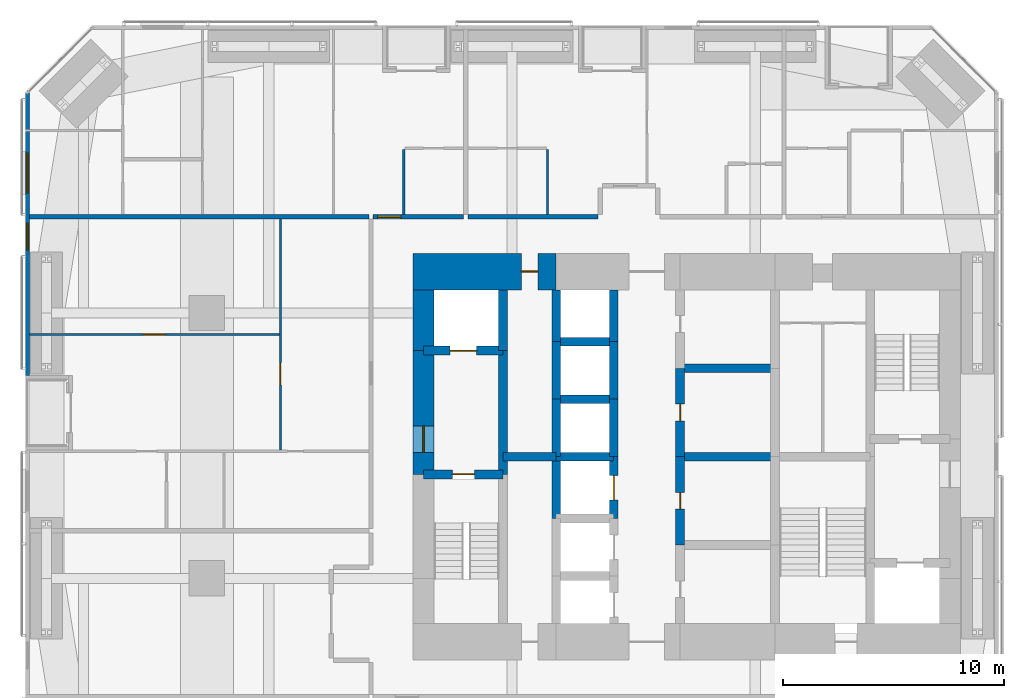
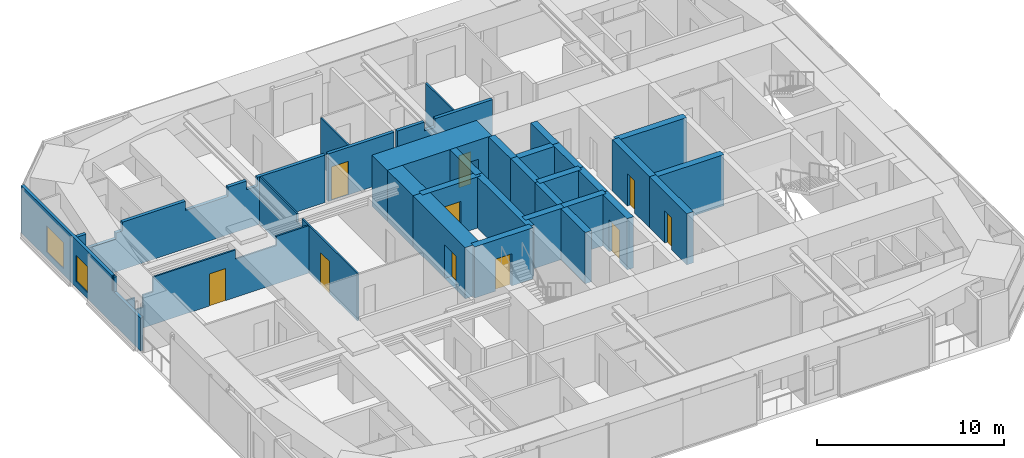
# One storey, part 19 of 24: 31 walls, 10 doors, 2 windows, 12 openings.
"""IFC4 building model written with IfcOpenShell, lengths in metres."""

from ifc_helpers import new_model, si_unit, direction, frame, frame_2d, origin, place, context, subcontext, project, spatial, polyline, rectangle, outline, extrude, material, layer, layer_set, constituent, constituent_set, type_object, element, fill, save


model = new_model("IFC4")

# Units and contexts
model_context = context("Model", 3, precision=1e-05, world=origin(), true_north=direction((0.0, 1.0)))
body_context = subcontext(model_context, "Body", "Model", "MODEL_VIEW")
ifc_project = project(units=[si_unit("LENGTHUNIT", "METRE"), si_unit("AREAUNIT", "SQUARE_METRE"), si_unit("VOLUMEUNIT", "CUBIC_METRE"), si_unit("PLANEANGLEUNIT", "RADIAN"), si_unit("MASSUNIT", "GRAM", prefix="KILO")], contexts=[model_context])

# Site, building, storey
site_placement = place(None, origin())
site = spatial("IfcSite", under=ifc_project, at=site_placement, CompositionType="ELEMENT")
building_placement = place(site_placement, origin())
building = spatial("IfcBuilding", under=site, at=building_placement, Name="Jalousie Tower", CompositionType="ELEMENT")
storey_placement = place(building_placement, frame((0.0, 0.0, 51.14990234375)))
storey = spatial("IfcBuildingStorey", under=building, at=storey_placement, Name="L13", CompositionType="ELEMENT", Elevation=51.14990234375)

# Wall, opening, door
ifc_material_1 = material(Name="Concrete f'c 120 MPa", Category="concrete")
ifc_layer_1 = layer(ifc_material_1, 1.64990234375)
ifc_layer_set_1 = layer_set([ifc_layer_1], Name="Concrete f'c 120 MPa")
wall_type_1 = type_object("IfcWallType", Name="CORE WALL 1650", PredefinedType="SHEAR", material=ifc_layer_set_1)
wall_1_placement = place(storey_placement, frame((26.0, 26.875, 0.0), z_axis=(0.0, 0.0, 1.0), x_axis=(-1.0, 0.0, 0.0)))
wall_1 = element("IfcWall", 1, at=wall_1_placement, inside=storey, type_object=wall_type_1, Name="Core wall ND L13", PredefinedType="SHEAR", context=body_context, shape_type="SweptSolid", body=[
    extrude(rectangle(XDim=6.47509765625, YDim=1.64990234375, at=frame_2d((3.237548828125, 0.0))), origin(), (0.0, 0.0, 1.0), 3.35009765625),
])
opening_1_placement = place(wall_1_placement, frame((0.824951171875, 0.0, 0.0)))
opening_1 = element("IfcOpeningElement", 2, at=opening_1_placement, cuts=wall_1, Name="Opening D16", PredefinedType="OPENING", context=body_context, shape_type="SweptSolid", body=[
    extrude(rectangle(XDim=0.75, YDim=2.10009765625, at=frame_2d((0.375, 1.050048828125))), frame((0.0, 0.8349609375, 0.0), z_axis=(0.0, -1.0, 0.0), x_axis=(1.0, 0.0, 0.0)), (0.0, 0.0, 1.0), 1.669921875),
])
ifc_material_2 = material(Name="Steel fire door", Category="steel")
door_type_1 = type_object("IfcDoorType", Name="RISER DOOR 750", OperationType="SINGLE_SWING_LEFT", PredefinedType="DOOR", material=ifc_material_2)
door_1_placement = place(opening_1_placement, origin())
door_1 = element("IfcDoor", 3, at=door_1_placement, inside=storey, type_object=door_type_1, Name="North riser door", OperationType="SINGLE_SWING_RIGHT", OverallHeight=2.10009765625, OverallWidth=0.75, PredefinedType="DOOR", context=body_context, shape_type="SweptSolid", body=[
    extrude(rectangle(XDim=0.75, YDim=2.10009765625, at=frame_2d((0.375, 1.050048828125))), frame((0.0, 0.02490234375, 0.0), z_axis=(0.0, -1.0, 0.0), x_axis=(1.0, 0.0, 0.0)), (0.0, 0.0, 1.0), 0.050048828125),
])
fill(opening_1, door_1)

# Walls
ifc_material_3 = material(Name="Concrete f'c 120 MPa", Category="concrete")
ifc_layer_2 = layer(ifc_material_3, 0.39990234375)
ifc_layer_set_2 = layer_set([ifc_layer_2], Name="Concrete f'c 120 MPa")
wall_type_2 = type_object("IfcWallType", Name="CORE WALL 400", PredefinedType="SHEAR", material=ifc_layer_set_2)
wall_2_placement = place(storey_placement, frame((23.60009765625, 17.699951171875, 0.0), z_axis=(0.0, 0.0, 1.0), x_axis=(0.0, 1.0, 0.0)))
element("IfcWall", 4, at=wall_2_placement, inside=storey, type_object=wall_type_2, Name="Core wall X23.6B L13", PredefinedType="SHEAR", context=body_context, shape_type="SweptSolid", body=[
    extrude(rectangle(XDim=5.60009765625, YDim=0.39990234375, at=frame_2d((2.800048828125, 0.0))), origin(), (0.0, 0.0, 1.0), 3.35009765625),
])
wall_3_placement = place(storey_placement, frame((23.60009765625, 23.300048828125, 0.0), z_axis=(0.0, 0.0, 1.0), x_axis=(0.0, 1.0, 0.0)))
element("IfcWall", 5, at=wall_3_placement, inside=storey, type_object=wall_type_2, Name="Core wall X23.6C L13", PredefinedType="SHEAR", context=body_context, shape_type="SweptSolid", body=[
    extrude(rectangle(XDim=2.75, YDim=0.39990234375, at=frame_2d((1.375, 0.0))), origin(), (0.0, 0.0, 1.0), 3.35009765625),
])
wall_4_placement = place(storey_placement, frame((26.0, 15.699951171875, 0.0), z_axis=(0.0, 0.0, 1.0), x_axis=(0.0, 1.0, 0.0)))
element("IfcWall", 6, at=wall_4_placement, inside=storey, type_object=wall_type_2, Name="Core wall X26C L13", PredefinedType="SHEAR", context=body_context, shape_type="SweptSolid", body=[
    extrude(rectangle(XDim=2.800048828125, YDim=0.39990234375, at=frame_2d((1.39990234375, 0.0))), origin(), (0.0, 0.0, 1.0), 3.35009765625),
])
wall_5_placement = place(storey_placement, frame((26.0, 18.5, 0.0), z_axis=(0.0, 0.0, 1.0), x_axis=(0.0, 1.0, 0.0)))
element("IfcWall", 7, at=wall_5_placement, inside=storey, type_object=wall_type_2, Name="Core wall X26D L13", PredefinedType="SHEAR", context=body_context, shape_type="SweptSolid", body=[
    extrude(rectangle(XDim=2.60009765625, YDim=0.39990234375, at=frame_2d((1.300048828125, 0.0))), origin(), (0.0, 0.0, 1.0), 3.35009765625),
])
wall_6_placement = place(storey_placement, frame((26.0, 21.10009765625, 0.0), z_axis=(0.0, 0.0, 1.0), x_axis=(0.0, 1.0, 0.0)))
element("IfcWall", 8, at=wall_6_placement, inside=storey, type_object=wall_type_2, Name="Core wall X26E L13", PredefinedType="SHEAR", context=body_context, shape_type="SweptSolid", body=[
    extrude(rectangle(XDim=2.599853515625, YDim=0.39990234375, at=frame_2d((1.2998046875, 0.0))), origin(), (0.0, 0.0, 1.0), 3.35009765625),
])
wall_7_placement = place(storey_placement, frame((26.0, 23.699951171875, 0.0), z_axis=(0.0, 0.0, 1.0), x_axis=(0.0, 1.0, 0.0)))
element("IfcWall", 9, at=wall_7_placement, inside=storey, type_object=wall_type_2, Name="Core wall X26F L13", PredefinedType="SHEAR", context=body_context, shape_type="SweptSolid", body=[
    extrude(rectangle(XDim=2.35009765625, YDim=0.39990234375, at=frame_2d((1.175048828125, 0.0))), origin(), (0.0, 0.0, 1.0), 3.35009765625),
])

# Wall, opening, door
wall_8_placement = place(storey_placement, frame((28.60009765625, 15.699951171875, 0.0), z_axis=(0.0, 0.0, 1.0), x_axis=(0.0, 1.0, 0.0)))
wall_8 = element("IfcWall", 10, at=wall_8_placement, inside=storey, type_object=wall_type_2, Name="Core wall X28.6C L13", PredefinedType="SHEAR", context=body_context, shape_type="SweptSolid", body=[
    extrude(rectangle(XDim=2.800048828125, YDim=0.39990234375, at=frame_2d((1.39990234375, 0.0))), origin(), (0.0, 0.0, 1.0), 3.35009765625),
])
opening_2_placement = place(wall_8_placement, frame((0.85009765625, 0.0, 0.0)))
opening_2 = element("IfcOpeningElement", 11, at=opening_2_placement, cuts=wall_8, Name="Opening LD1", PredefinedType="OPENING", context=body_context, shape_type="SweptSolid", body=[
    extrude(rectangle(XDim=1.10009765625, YDim=2.10009765625, at=frame_2d((0.550048828125, 1.050048828125))), frame((0.0, 0.2099609375, 0.0), z_axis=(0.0, -1.0, 0.0), x_axis=(1.0, 0.0, 0.0)), (0.0, 0.0, 1.0), 0.419921875),
])
ifc_material_4 = material(Name="Steel lift landing door", Category="steel")
door_type_2 = type_object("IfcDoorType", Name="LIFT LANDING DOOR 1100", OperationType="SLIDING_TO_LEFT", PredefinedType="DOOR", material=ifc_material_4)
door_2_placement = place(opening_2_placement, origin())
door_2 = element("IfcDoor", 12, at=door_2_placement, inside=storey, type_object=door_type_2, Name="Lift P3 landing door", OperationType="SLIDING_TO_LEFT", OverallHeight=2.10009765625, OverallWidth=1.10009765625, PredefinedType="DOOR", context=body_context, shape_type="SweptSolid", body=[
    extrude(rectangle(XDim=1.10009765625, YDim=2.10009765625, at=frame_2d((0.550048828125, 1.050048828125))), frame((0.0, 0.02490234375, 0.0), z_axis=(0.0, -1.0, 0.0), x_axis=(1.0, 0.0, 0.0)), (0.0, 0.0, 1.0), 0.050048828125),
])
fill(opening_2, door_2)

# Walls
wall_9_placement = place(storey_placement, frame((28.60009765625, 18.5, 0.0), z_axis=(0.0, 0.0, 1.0), x_axis=(0.0, 1.0, 0.0)))
element("IfcWall", 13, at=wall_9_placement, inside=storey, type_object=wall_type_2, Name="Core wall X28.6D L13", PredefinedType="SHEAR", context=body_context, shape_type="SweptSolid", body=[
    extrude(rectangle(XDim=2.60009765625, YDim=0.39990234375, at=frame_2d((1.300048828125, 0.0))), origin(), (0.0, 0.0, 1.0), 3.35009765625),
])
wall_10_placement = place(storey_placement, frame((28.60009765625, 21.10009765625, 0.0), z_axis=(0.0, 0.0, 1.0), x_axis=(0.0, 1.0, 0.0)))
element("IfcWall", 14, at=wall_10_placement, inside=storey, type_object=wall_type_2, Name="Core wall X28.6E L13", PredefinedType="SHEAR", context=body_context, shape_type="SweptSolid", body=[
    extrude(rectangle(XDim=2.599853515625, YDim=0.39990234375, at=frame_2d((1.2998046875, 0.0))), origin(), (0.0, 0.0, 1.0), 3.35009765625),
])
wall_11_placement = place(storey_placement, frame((28.60009765625, 23.699951171875, 0.0), z_axis=(0.0, 0.0, 1.0), x_axis=(0.0, 1.0, 0.0)))
element("IfcWall", 15, at=wall_11_placement, inside=storey, type_object=wall_type_2, Name="Core wall X28.6F L13", PredefinedType="SHEAR", context=body_context, shape_type="SweptSolid", body=[
    extrude(rectangle(XDim=2.35009765625, YDim=0.39990234375, at=frame_2d((1.175048828125, 0.0))), origin(), (0.0, 0.0, 1.0), 3.35009765625),
])

# Wall, opening, door
wall_12_placement = place(storey_placement, frame((31.60009765625, 14.5, 0.0), z_axis=(0.0, 0.0, 1.0), x_axis=(0.0, 1.0, 0.0)))
wall_12 = element("IfcWall", 16, at=wall_12_placement, inside=storey, type_object=wall_type_2, Name="Core wall X31.6B L13", PredefinedType="SHEAR", context=body_context, shape_type="SweptSolid", body=[
    extrude(rectangle(XDim=4.0, YDim=0.39990234375, at=frame_2d((2.0, 0.0))), origin(), (0.0, 0.0, 1.0), 3.35009765625),
])
opening_3_placement = place(wall_12_placement, frame((1.625, 0.0, 0.0)))
opening_3 = element("IfcOpeningElement", 17, at=opening_3_placement, cuts=wall_12, Name="Opening D16", PredefinedType="OPENING", context=body_context, shape_type="SweptSolid", body=[
    extrude(rectangle(XDim=0.75, YDim=2.10009765625, at=frame_2d((0.375, 1.050048828125))), frame((0.0, 0.2099609375, 0.0), z_axis=(0.0, -1.0, 0.0), x_axis=(1.0, 0.0, 0.0)), (0.0, 0.0, 1.0), 0.419921875),
])
door_3_placement = place(opening_3_placement, frame((0.75, 0.0, 0.0), z_axis=(0.0, 0.0, 1.0), x_axis=(-1.0, 0.0, 0.0)))
door_3 = element("IfcDoor", 18, at=door_3_placement, inside=storey, type_object=door_type_1, Name="Electrical Room door", OperationType="SINGLE_SWING_LEFT", OverallHeight=2.10009765625, OverallWidth=0.75, PredefinedType="DOOR", context=body_context, shape_type="SweptSolid", body=[
    extrude(rectangle(XDim=0.75, YDim=2.10009765625, at=frame_2d((0.375, 1.050048828125))), frame((0.0, 0.02490234375, 0.0), z_axis=(0.0, -1.0, 0.0), x_axis=(1.0, 0.0, 0.0)), (0.0, 0.0, 1.0), 0.050048828125),
])
fill(opening_3, door_3)

wall_13_placement = place(storey_placement, frame((31.60009765625, 18.5, 0.0), z_axis=(0.0, 0.0, 1.0), x_axis=(0.0, 1.0, 0.0)))
wall_13 = element("IfcWall", 19, at=wall_13_placement, inside=storey, type_object=wall_type_2, Name="Core wall X31.6C L13", PredefinedType="SHEAR", context=body_context, shape_type="SweptSolid", body=[
    extrude(rectangle(XDim=4.0, YDim=0.39990234375, at=frame_2d((2.0, 0.0))), origin(), (0.0, 0.0, 1.0), 3.35009765625),
])
opening_4_placement = place(wall_13_placement, frame((1.625, 0.0, 0.0)))
opening_4 = element("IfcOpeningElement", 20, at=opening_4_placement, cuts=wall_13, Name="Opening D16", PredefinedType="OPENING", context=body_context, shape_type="SweptSolid", body=[
    extrude(rectangle(XDim=0.75, YDim=2.10009765625, at=frame_2d((0.375, 1.050048828125))), frame((0.0, 0.2099609375, 0.0), z_axis=(0.0, -1.0, 0.0), x_axis=(1.0, 0.0, 0.0)), (0.0, 0.0, 1.0), 0.419921875),
])
door_4_placement = place(opening_4_placement, frame((0.75, 0.0, 0.0), z_axis=(0.0, 0.0, 1.0), x_axis=(-1.0, 0.0, 0.0)))
door_4 = element("IfcDoor", 21, at=door_4_placement, inside=storey, type_object=door_type_1, Name="Telecom Room door", OperationType="SINGLE_SWING_LEFT", OverallHeight=2.10009765625, OverallWidth=0.75, PredefinedType="DOOR", context=body_context, shape_type="SweptSolid", body=[
    extrude(rectangle(XDim=0.75, YDim=2.10009765625, at=frame_2d((0.375, 1.050048828125))), frame((0.0, 0.02490234375, 0.0), z_axis=(0.0, -1.0, 0.0), x_axis=(1.0, 0.0, 0.0)), (0.0, 0.0, 1.0), 0.050048828125),
])
fill(opening_4, door_4)

wall_14_placement = place(storey_placement, frame((20.0, 17.699951171875, 0.0), z_axis=(0.0, 0.0, 1.0), x_axis=(1.0, 0.0, 0.0)))
wall_14 = element("IfcWall", 22, at=wall_14_placement, inside=storey, type_object=wall_type_2, Name="Core wall Y20-17.7 L13", PredefinedType="SHEAR", context=body_context, shape_type="SweptSolid", body=[
    extrude(rectangle(XDim=3.60009765625, YDim=0.39990234375, at=frame_2d((1.800048828125, 0.0))), origin(), (0.0, 0.0, 1.0), 3.35009765625),
])
opening_5_placement = place(wall_14_placement, frame((1.300048828125, 0.0, 0.0)))
opening_5 = element("IfcOpeningElement", 23, at=opening_5_placement, cuts=wall_14, Name="Opening D10", PredefinedType="OPENING", context=body_context, shape_type="SweptSolid", body=[
    extrude(rectangle(XDim=1.0, YDim=2.10009765625, at=frame_2d((0.5, 1.050048828125))), frame((0.0, 0.2099609375, 0.0), z_axis=(0.0, -1.0, 0.0), x_axis=(1.0, 0.0, 0.0)), (0.0, 0.0, 1.0), 0.419921875),
])
ifc_material_5 = material(Name="Steel fire door", Category="steel")
door_type_3 = type_object("IfcDoorType", Name="STAIR DOOR 1000", OperationType="SINGLE_SWING_LEFT", PredefinedType="DOOR", material=ifc_material_5)
door_5_placement = place(opening_5_placement, frame((1.0, 0.0, 0.0), z_axis=(0.0, 0.0, 1.0), x_axis=(-1.0, 0.0, 0.0)))
door_5 = element("IfcDoor", 24, at=door_5_placement, inside=storey, type_object=door_type_3, Name="Exit stair A door", OperationType="SINGLE_SWING_RIGHT", OverallHeight=2.10009765625, OverallWidth=1.0, PredefinedType="DOOR", context=body_context, shape_type="SweptSolid", body=[
    extrude(rectangle(XDim=1.0, YDim=2.10009765625, at=frame_2d((0.5, 1.050048828125))), frame((0.0, 0.02490234375, 0.0), z_axis=(0.0, -1.0, 0.0), x_axis=(1.0, 0.0, 0.0)), (0.0, 0.0, 1.0), 0.050048828125),
])
fill(opening_5, door_5)

wall_15_placement = place(storey_placement, frame((20.0, 23.300048828125, 0.0), z_axis=(0.0, 0.0, 1.0), x_axis=(1.0, 0.0, 0.0)))
wall_15 = element("IfcWall", 25, at=wall_15_placement, inside=storey, type_object=wall_type_2, Name="Core wall Y20-23.3 L13", PredefinedType="SHEAR", context=body_context, shape_type="SweptSolid", body=[
    extrude(rectangle(XDim=3.60009765625, YDim=0.39990234375, at=frame_2d((1.800048828125, 0.0))), origin(), (0.0, 0.0, 1.0), 3.35009765625),
])
opening_6_placement = place(wall_15_placement, frame((1.199951171875, 0.0, 0.0)))
opening_6 = element("IfcOpeningElement", 26, at=opening_6_placement, cuts=wall_15, Name="Opening LD2", PredefinedType="OPENING", context=body_context, shape_type="SweptSolid", body=[
    extrude(rectangle(XDim=1.199951171875, YDim=2.10009765625, at=frame_2d((0.60009765625, 1.050048828125))), frame((0.0, 0.2099609375, 0.0), z_axis=(0.0, -1.0, 0.0), x_axis=(1.0, 0.0, 0.0)), (0.0, 0.0, 1.0), 0.419921875),
])
ifc_material_6 = material(Name="Steel lift landing door", Category="steel")
door_type_4 = type_object("IfcDoorType", Name="LIFT LANDING DOOR 1200", OperationType="SLIDING_TO_LEFT", PredefinedType="DOOR", material=ifc_material_6)
door_6_placement = place(opening_6_placement, origin())
door_6 = element("IfcDoor", 27, at=door_6_placement, inside=storey, type_object=door_type_4, Name="Lift F1 landing door", OperationType="SLIDING_TO_LEFT", OverallHeight=2.10009765625, OverallWidth=1.199951171875, PredefinedType="DOOR", context=body_context, shape_type="SweptSolid", body=[
    extrude(rectangle(XDim=1.199951171875, YDim=2.10009765625, at=frame_2d((0.60009765625, 1.050048828125))), frame((0.0, 0.02490234375, 0.0), z_axis=(0.0, -1.0, 0.0), x_axis=(1.0, 0.0, 0.0)), (0.0, 0.0, 1.0), 0.050048828125),
])
fill(opening_6, door_6)

# Walls
wall_16_placement = place(storey_placement, frame((23.60009765625, 18.5, 0.0), z_axis=(0.0, 0.0, 1.0), x_axis=(1.0, 0.0, 0.0)))
element("IfcWall", 28, at=wall_16_placement, inside=storey, type_object=wall_type_2, Name="Core wall Y23.6-18.5 L13", PredefinedType="SHEAR", context=body_context, shape_type="SweptSolid", body=[
    extrude(rectangle(XDim=2.39990234375, YDim=0.39990234375, at=frame_2d((1.199951171875, 0.0))), origin(), (0.0, 0.0, 1.0), 3.35009765625),
])
for number, where, z_axis, x_axis, name in (
    (29, (26.0, 18.5, 0.0), (0.0, 0.0, 1.0), (1.0, 0.0, 0.0), "Core wall Y26-18.5 L13"),
    (30, (26.0, 21.10009765625, 0.0), (0.0, 0.0, 1.0), (1.0, 0.0, 0.0), "Core wall Y26-21.1 L13"),
    (31, (26.0, 23.699951171875, 0.0), (0.0, 0.0, 1.0), (1.0, 0.0, 0.0), "Core wall Y26-23.7 L13"),
):
    element("IfcWall", number, at=place(storey_placement, frame(where, z_axis=z_axis, x_axis=x_axis)), inside=storey, type_object=wall_type_2, Name=name, PredefinedType="SHEAR", context=body_context, shape_type="SweptSolid", body=[
        extrude(rectangle(XDim=2.60009765625, YDim=0.39990234375, at=frame_2d((1.300048828125, 0.0))), origin(), (0.0, 0.0, 1.0), 3.35009765625),
    ])
for number, where, z_axis, x_axis, name in (
    (32, (31.60009765625, 18.5, 0.0), (0.0, 0.0, 1.0), (1.0, 0.0, 0.0), "Core wall Y31.6-18.5 L13"),
    (33, (31.60009765625, 22.5, 0.0), (0.0, 0.0, 1.0), (1.0, 0.0, 0.0), "Core wall Y31.6-22.5 L13"),
):
    element("IfcWall", number, at=place(storey_placement, frame(where, z_axis=z_axis, x_axis=x_axis)), inside=storey, type_object=wall_type_2, Name=name, PredefinedType="SHEAR", context=body_context, shape_type="SweptSolid", body=[
        extrude(rectangle(XDim=4.2998046875, YDim=0.39990234375, at=frame_2d((2.14990234375, 0.0))), origin(), (0.0, 0.0, 1.0), 3.35009765625),
    ])
ifc_material_7 = material(Name="Concrete f'c 120 MPa", Category="concrete")
ifc_layer_3 = layer(ifc_material_7, 0.949951171875)
ifc_layer_set_3 = layer_set([ifc_layer_3], Name="Concrete f'c 120 MPa")
wall_type_3 = type_object("IfcWallType", Name="CORE WALL 950", PredefinedType="SHEAR", material=ifc_layer_set_3)
wall_17_placement = place(storey_placement, frame((20.0, 26.050048828125, 0.0), z_axis=(0.0, 0.0, 1.0), x_axis=(0.0, -1.0, 0.0)))
element("IfcWall", 34, at=wall_17_placement, inside=storey, type_object=wall_type_3, Name="Core wall WA L13", PredefinedType="SHEAR", context=body_context, shape_type="SweptSolid", body=[
    extrude(rectangle(XDim=2.75, YDim=0.949951171875, at=frame_2d((1.375, 0.0))), origin(), (0.0, 0.0, 1.0), 3.35009765625),
])

# Wall, opening, door
wall_18_placement = place(storey_placement, frame((20.0, 23.300048828125, 0.0), z_axis=(0.0, 0.0, 1.0), x_axis=(0.0, -1.0, 0.0)))
wall_18 = element("IfcWall", 35, at=wall_18_placement, inside=storey, type_object=wall_type_3, Name="Core wall WB L13", PredefinedType="SHEAR", context=body_context, shape_type="SweptSolid", body=[
    extrude(rectangle(XDim=5.60009765625, YDim=0.949951171875, at=frame_2d((2.800048828125, 0.0))), origin(), (0.0, 0.0, 1.0), 3.35009765625),
])
opening_7_placement = place(wall_18_placement, frame((3.39990234375, 0.0, 0.0)))
opening_7 = element("IfcOpeningElement", 36, at=opening_7_placement, cuts=wall_18, Name="Opening D11", PredefinedType="OPENING", context=body_context, shape_type="SweptSolid", body=[
    extrude(rectangle(XDim=1.199951171875, YDim=2.199951171875, at=frame_2d((0.60009765625, 1.10009765625))), frame((0.0, 0.48486328125, 0.0), z_axis=(0.0, -1.0, 0.0), x_axis=(1.0, 0.0, 0.0)), (0.0, 0.0, 1.0), 0.969970703125),
])
ifc_material_8 = material(Name="Steel fire door", Category="steel")
door_type_5 = type_object("IfcDoorType", Name="FIRE DOOR 1200", OperationType="SINGLE_SWING_LEFT", PredefinedType="DOOR", material=ifc_material_8)
door_7_placement = place(opening_7_placement, origin())
door_7 = element("IfcDoor", 37, at=door_7_placement, inside=storey, type_object=door_type_5, Name="Fire-fighting lobby A door", OperationType="SINGLE_SWING_RIGHT", OverallHeight=2.199951171875, OverallWidth=1.199951171875, PredefinedType="DOOR", context=body_context, shape_type="SweptSolid", body=[
    extrude(rectangle(XDim=1.199951171875, YDim=2.199951171875, at=frame_2d((0.60009765625, 1.10009765625))), frame((0.0, 0.02490234375, 0.0), z_axis=(0.0, -1.0, 0.0), x_axis=(1.0, 0.0, 0.0)), (0.0, 0.0, 1.0), 0.050048828125),
])
fill(opening_7, door_7)

ifc_material_9 = material(Name="Concrete block ASTM C90", Category="concrete")
ifc_constituent_1 = constituent(ifc_material_9, Name="Body")
ifc_material_10 = material(Name="Render")
ifc_constituent_2 = constituent(ifc_material_10, Name="Finish")
ifc_constituent_set_1 = constituent_set(constituents=[ifc_constituent_1, ifc_constituent_2])
wall_type_4 = type_object("IfcWallType", Name="CORRIDOR WALL 200", PredefinedType="PARTITIONING", material=ifc_constituent_set_1)
wall_19_placement = place(storey_placement, frame((17.72509765625, 29.35009765625, 0.0), z_axis=(0.0, 0.0, 1.0), x_axis=(1.0, 0.0, 0.0)))
wall_19 = element("IfcWall", 38, at=wall_19_placement, inside=storey, type_object=wall_type_4, Name="Corridor Wall 200 L13", PredefinedType="PARTITIONING", context=body_context, shape_type="SweptSolid", body=[
    extrude(rectangle(XDim=4.074951171875, YDim=0.199951171875, at=frame_2d((2.03759765625, 0.0))), origin(), (0.0, 0.0, 1.0), 3.110107421875),
])
opening_8_placement = place(wall_19_placement, frame((0.199951171875, 0.0, 0.0)))
opening_8 = element("IfcOpeningElement", 39, at=opening_8_placement, cuts=wall_19, Name="Opening D1", PredefinedType="OPENING", context=body_context, shape_type="SweptSolid", body=[
    extrude(rectangle(XDim=1.050048828125, YDim=2.199951171875, at=frame_2d((0.52490234375, 1.10009765625))), frame((0.0, 0.10986328125, 0.0), z_axis=(0.0, -1.0, 0.0), x_axis=(1.0, 0.0, 0.0)), (0.0, 0.0, 1.0), 0.219970703125),
])
ifc_material_11 = material(Name="Timber fire door", Category="wood")
door_type_6 = type_object("IfcDoorType", Name="APARTMENT ENTRANCE DOOR 1050", OperationType="SINGLE_SWING_LEFT", PredefinedType="DOOR", material=ifc_material_11)
door_8_placement = place(opening_8_placement, origin())
door_8 = element("IfcDoor", 40, at=door_8_placement, inside=storey, type_object=door_type_6, Name="Apartment 1303 entrance", OperationType="SINGLE_SWING_RIGHT", OverallHeight=2.199951171875, OverallWidth=1.050048828125, PredefinedType="DOOR", context=body_context, shape_type="SweptSolid", body=[
    extrude(rectangle(XDim=1.050048828125, YDim=2.199951171875, at=frame_2d((0.52490234375, 1.10009765625))), frame((0.0, 0.02490234375, 0.0), z_axis=(0.0, -1.0, 0.0), x_axis=(1.0, 0.0, 0.0)), (0.0, 0.0, 1.0), 0.050048828125),
])
fill(opening_8, door_8)

# Wall
wall_20_placement = place(storey_placement, frame((22.0, 29.35009765625, 0.0), z_axis=(0.0, 0.0, 1.0), x_axis=(1.0, 0.0, 0.0)))
element("IfcWall", 41, at=wall_20_placement, inside=storey, type_object=wall_type_4, Name="Corridor Wall 200 L13", PredefinedType="PARTITIONING", context=body_context, shape_type="SweptSolid", body=[
    extrude(outline(polyline([(0.0, 0.0), (5.89990234375, 0.0), (5.89990234375, 3.110107421875), (2.33740234375, 3.110107421875), (2.33740234375, 2.541015625), (1.66259765625, 2.541015625), (1.66259765625, 3.110107421875), (0.0, 3.110107421875), (0.0, 0.0)])), frame((0.0, 0.10009765625, 0.0), z_axis=(0.0, -1.0, 0.0), x_axis=(1.0, 0.0, 0.0)), (0.0, 0.0, 1.0), 0.199951171875),
])

# Wall, openings, windows
ifc_material_12 = material(Name="Concrete f'c 40 MPa", Category="concrete")
ifc_constituent_3 = constituent(ifc_material_12, Name="Body")
ifc_material_13 = material(Name="Render, pastel coral")
ifc_constituent_4 = constituent(ifc_material_13, Name="Finish")
ifc_constituent_set_2 = constituent_set(constituents=[ifc_constituent_3, ifc_constituent_4])
wall_type_5 = type_object("IfcWallType", Name="EXTERNAL WALL 175 CORAL RENDER", PredefinedType="SOLIDWALL", material=ifc_constituent_set_2)
wall_21_placement = place(storey_placement, frame((2.08740234375, 34.94873046875, 0.0), z_axis=(0.0, 0.0, 1.0), x_axis=(0.0, -1.0, 0.0)))
wall_21 = element("IfcWall", 42, at=wall_21_placement, inside=storey, type_object=wall_type_5, Name="External Wall 175 Coral Render L13", PredefinedType="SOLIDWALL", context=body_context, shape_type="SweptSolid", body=[
    extrude(outline(polyline([(0.0, 0.0), (12.773681640625, 0.0), (12.773681640625, 2.150146484375), (9.94873046875, 2.150146484375), (9.94873046875, 3.110107421875), (9.822998046875, 3.110107421875), (9.822998046875, 2.150146484375), (9.72998046875, 2.150146484375), (9.72998046875, 3.110107421875), (0.0, 3.110107421875), (0.0, 0.0)])), frame((0.0, 0.08740234375, 0.0), z_axis=(0.0, -1.0, 0.0), x_axis=(1.0, 0.0, 0.0)), (0.0, 0.0, 1.0), 0.175048828125),
])
opening_9_placement = place(wall_21_placement, frame((2.72216796875, 0.0, 0.39990234375)))
opening_9 = element("IfcOpeningElement", 43, at=opening_9_placement, cuts=wall_21, Name="Opening W-BED170", PredefinedType="OPENING", context=body_context, shape_type="SweptSolid", body=[
    extrude(rectangle(XDim=1.800048828125, YDim=1.699951171875, at=frame_2d((0.89990234375, 0.85009765625))), frame((0.0, 0.097412109375, 0.0), z_axis=(0.0, -1.0, 0.0), x_axis=(1.0, 0.0, 0.0)), (0.0, 0.0, 1.0), 0.195068359375),
])
opening_10_placement = place(wall_21_placement, frame((5.898681640625, 0.0, 0.39990234375)))
opening_10 = element("IfcOpeningElement", 44, at=opening_10_placement, cuts=wall_21, Name="Opening W-COR170", PredefinedType="OPENING", context=body_context, shape_type="SweptSolid", body=[
    extrude(rectangle(XDim=1.199951171875, YDim=1.699951171875, at=frame_2d((0.60009765625, 0.85009765625))), frame((0.0, 0.097412109375, 0.0), z_axis=(0.0, -1.0, 0.0), x_axis=(1.0, 0.0, 0.0)), (0.0, 0.0, 1.0), 0.195068359375),
])
ifc_material_14 = material(Name="Aluminium frame, impact-rated glazing", Category="aluminium")
window_type_1 = type_object("IfcWindowType", Name="WINDOW BED 1800x1700", PartitioningType="SINGLE_PANEL", PredefinedType="WINDOW", material=ifc_material_14)
window_1_placement = place(opening_9_placement, origin())
window_1 = element("IfcWindow", 45, at=window_1_placement, inside=storey, type_object=window_type_1, Name="Apartment 1303 bedroom 1 window", OverallHeight=1.699951171875, OverallWidth=1.800048828125, PartitioningType="SINGLE_PANEL", PredefinedType="WINDOW", context=body_context, shape_type="SweptSolid", body=[
    extrude(rectangle(XDim=1.800048828125, YDim=1.699951171875, at=frame_2d((0.89990234375, 0.85009765625))), frame((0.0, 0.030029296875, 0.0), z_axis=(0.0, -1.0, 0.0), x_axis=(1.0, 0.0, 0.0)), (0.0, 0.0, 1.0), 0.06005859375),
])
fill(opening_9, window_1)
ifc_material_15 = material(Name="Aluminium frame, impact-rated glazing", Category="aluminium")
window_type_2 = type_object("IfcWindowType", Name="WINDOW COR 1200x1700", PartitioningType="SINGLE_PANEL", PredefinedType="WINDOW", material=ifc_material_15)
window_2_placement = place(opening_10_placement, origin())
window_2 = element("IfcWindow", 46, at=window_2_placement, inside=storey, type_object=window_type_2, Name="Apartment 1306 dining room window", OverallHeight=1.699951171875, OverallWidth=1.199951171875, PartitioningType="SINGLE_PANEL", PredefinedType="WINDOW", context=body_context, shape_type="SweptSolid", body=[
    extrude(rectangle(XDim=1.199951171875, YDim=1.699951171875, at=frame_2d((0.60009765625, 0.85009765625))), frame((0.0, 0.030029296875, 0.0), z_axis=(0.0, -1.0, 0.0), x_axis=(1.0, 0.0, 0.0)), (0.0, 0.0, 1.0), 0.06005859375),
])
fill(opening_10, window_2)

# Walls
ifc_material_16 = material(Name="Gypsum board", Category="gypsum")
ifc_constituent_5 = constituent(ifc_material_16, Name="Body")
ifc_material_17 = material(Name="Light-gauge steel studs ASTM A653 SS Grade 33", Category="steel")
ifc_constituent_6 = constituent(ifc_material_17, Name="Framing")
ifc_constituent_set_3 = constituent_set(constituents=[ifc_constituent_5, ifc_constituent_6])
wall_type_6 = type_object("IfcWallType", Name="PARTITION 100", PredefinedType="PARTITIONING", material=ifc_constituent_set_3)
for number, where, z_axis, x_axis, name in (
    (47, (19.10009765625, 32.39990234375, 0.0), (0.0, 0.0, 1.0), (0.0, -1.0, 0.0), "Partition 100 L13"),
    (48, (25.60009765625, 32.39990234375, 0.0), (0.0, 0.0, 1.0), (0.0, -1.0, 0.0), "Partition 100 L13"),
):
    element("IfcWall", number, at=place(storey_placement, frame(where, z_axis=z_axis, x_axis=x_axis)), inside=storey, type_object=wall_type_6, Name=name, PredefinedType="PARTITIONING", context=body_context, shape_type="SweptSolid", body=[
        extrude(rectangle(XDim=2.949951171875, YDim=0.10009765625, at=frame_2d((1.47509765625, 0.0))), origin(), (0.0, 0.0, 1.0), 3.110107421875),
    ])

# Wall, opening, door
wall_22_placement = place(storey_placement, frame((13.52490234375, 18.800048828125, 0.0), z_axis=(0.0, 0.0, 1.0), x_axis=(0.0, 1.0, 0.0)))
wall_22 = element("IfcWall", 49, at=wall_22_placement, inside=storey, type_object=wall_type_6, Name="Partition 100 L13", PredefinedType="PARTITIONING", context=body_context, shape_type="SweptSolid", body=[
    extrude(outline(polyline([(0.0, 0.0), (10.449951171875, 0.0), (10.449951171875, 3.110107421875), (6.4873046875, 3.110107421875), (6.4873046875, 2.541015625), (5.91259765625, 2.541015625), (5.91259765625, 3.110107421875), (0.0, 3.110107421875), (0.0, 0.0)])), frame((0.0, 0.050048828125, 0.0), z_axis=(0.0, -1.0, 0.0), x_axis=(1.0, 0.0, 0.0)), (0.0, 0.0, 1.0), 0.10009765625),
])
opening_11_placement = place(wall_22_placement, frame((2.949951171875, 0.0, 0.0)))
opening_11 = element("IfcOpeningElement", 50, at=opening_11_placement, cuts=wall_22, Name="Opening D6", PredefinedType="OPENING", context=body_context, shape_type="SweptSolid", body=[
    extrude(rectangle(XDim=1.0, YDim=2.10009765625, at=frame_2d((0.5, 1.050048828125))), frame((0.0, 0.06005859375, 0.0), z_axis=(0.0, -1.0, 0.0), x_axis=(1.0, 0.0, 0.0)), (0.0, 0.0, 1.0), 0.1201171875),
])
ifc_material_18 = material(Name="Timber door", Category="wood")
door_type_7 = type_object("IfcDoorType", Name="INTERNAL DOOR 1000", OperationType="SINGLE_SWING_LEFT", PredefinedType="DOOR", material=ifc_material_18)
door_9_placement = place(opening_11_placement, origin())
door_9 = element("IfcDoor", 51, at=door_9_placement, inside=storey, type_object=door_type_7, Name="Apartment 1306 living room door", OperationType="SINGLE_SWING_RIGHT", OverallHeight=2.10009765625, OverallWidth=1.0, PredefinedType="DOOR", context=body_context, shape_type="SweptSolid", body=[
    extrude(rectangle(XDim=1.0, YDim=2.10009765625, at=frame_2d((0.5, 1.050048828125))), frame((0.0, 0.02490234375, 0.0), z_axis=(0.0, -1.0, 0.0), x_axis=(1.0, 0.0, 0.0)), (0.0, 0.0, 1.0), 0.050048828125),
])
fill(opening_11, door_9)

wall_23_placement = place(storey_placement, frame((2.175048828125, 24.02490234375, 0.0), z_axis=(0.0, 0.0, 1.0), x_axis=(1.0, 0.0, 0.0)))
wall_23 = element("IfcWall", 52, at=wall_23_placement, inside=storey, type_object=wall_type_6, Name="Partition 100 L13", PredefinedType="PARTITIONING", context=body_context, shape_type="SweptSolid", body=[
    extrude(outline(polyline([(0.52880859375, 2.150146484375), (0.0, 2.150146484375), (0.0, 0.0), (0.52880859375, 0.0), (0.52880859375, 0.803466796875), (1.021240234375, 0.803466796875), (1.021240234375, 0.0), (11.300048828125, 0.0), (11.300048828125, 3.110107421875), (9.284912109375, 3.110107421875), (9.284912109375, 2.510009765625), (6.764892578125, 2.510009765625), (6.764892578125, 3.110107421875), (1.635009765625, 3.110107421875), (1.635009765625, 2.150146484375), (1.021240234375, 2.150146484375), (1.021240234375, 1.3466796875), (0.52880859375, 1.3466796875), (0.52880859375, 2.150146484375)])), frame((0.0, 0.050048828125, 0.0), z_axis=(0.0, -1.0, 0.0), x_axis=(1.0, 0.0, 0.0)), (0.0, 0.0, 1.0), 0.10009765625),
])
opening_12_placement = place(wall_23_placement, frame((5.14990234375, 0.0, 0.0)))
opening_12 = element("IfcOpeningElement", 53, at=opening_12_placement, cuts=wall_23, Name="Opening D6", PredefinedType="OPENING", context=body_context, shape_type="SweptSolid", body=[
    extrude(rectangle(XDim=1.0, YDim=2.10009765625, at=frame_2d((0.5, 1.050048828125))), frame((0.0, 0.06005859375, 0.0), z_axis=(0.0, -1.0, 0.0), x_axis=(1.0, 0.0, 0.0)), (0.0, 0.0, 1.0), 0.1201171875),
])
door_10_placement = place(opening_12_placement, origin())
door_10 = element("IfcDoor", 54, at=door_10_placement, inside=storey, type_object=door_type_7, Name="Apartment 1306 dining room door", OperationType="SINGLE_SWING_LEFT", OverallHeight=2.10009765625, OverallWidth=1.0, PredefinedType="DOOR", context=body_context, shape_type="SweptSolid", body=[
    extrude(rectangle(XDim=1.0, YDim=2.10009765625, at=frame_2d((0.5, 1.050048828125))), frame((0.0, 0.02490234375, 0.0), z_axis=(0.0, -1.0, 0.0), x_axis=(1.0, 0.0, 0.0)), (0.0, 0.0, 1.0), 0.050048828125),
])
fill(opening_12, door_10)

# Wall
ifc_material_19 = material(Name="Concrete block ASTM C90", Category="concrete")
ifc_constituent_7 = constituent(ifc_material_19, Name="Body")
ifc_material_20 = material(Name="Render")
ifc_constituent_8 = constituent(ifc_material_20, Name="Finish")
ifc_constituent_set_4 = constituent_set(constituents=[ifc_constituent_7, ifc_constituent_8])
wall_type_7 = type_object("IfcWallType", Name="PARTY WALL 200", PredefinedType="PARTITIONING", material=ifc_constituent_set_4)
wall_24_placement = place(storey_placement, frame((2.0, 29.35009765625, 0.0), z_axis=(0.0, 0.0, 1.0), x_axis=(1.0, 0.0, 0.0)))
element("IfcWall", 55, at=wall_24_placement, inside=storey, type_object=wall_type_7, Name="Party Wall 200 L13", PredefinedType="PARTITIONING", context=body_context, shape_type="SweptSolid", body=[
    extrude(outline(polyline([(0.0, 0.0), (15.52490234375, 0.0), (15.52490234375, 3.110107421875), (11.33740234375, 3.110107421875), (11.33740234375, 2.541015625), (10.66259765625, 2.541015625), (10.66259765625, 3.110107421875), (9.510009765625, 3.110107421875), (9.510009765625, 2.510009765625), (6.889892578125, 2.510009765625), (6.889892578125, 3.110107421875), (2.96875, 3.110107421875), (2.96875, 2.541015625), (2.577392578125, 2.541015625), (2.577392578125, 2.150146484375), (0.7333984375, 2.150146484375), (0.7333984375, 3.110107421875), (0.0, 3.110107421875), (0.0, 0.0)])), frame((0.0, 0.10009765625, 0.0), z_axis=(0.0, -1.0, 0.0), x_axis=(1.0, 0.0, 0.0)), (0.0, 0.0, 1.0), 0.199951171875),
])

save(model, "model.ifc")
